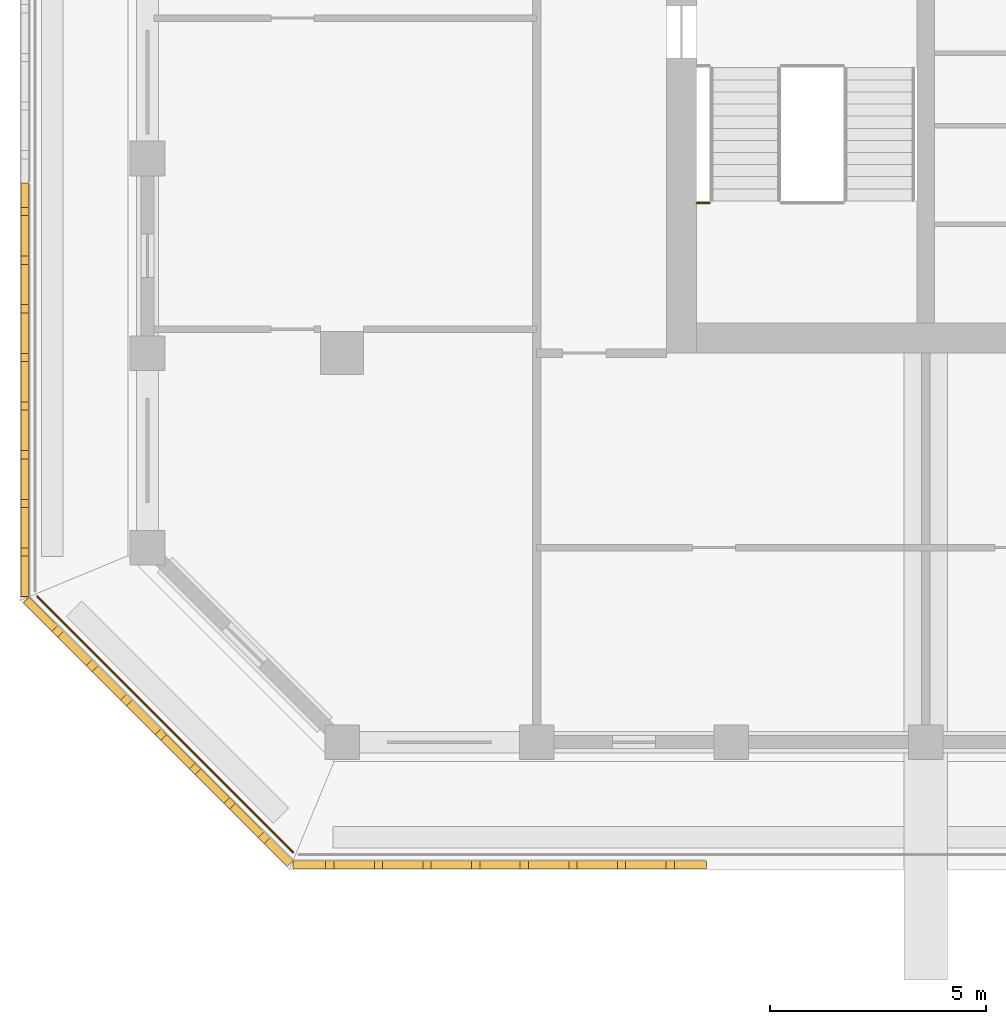
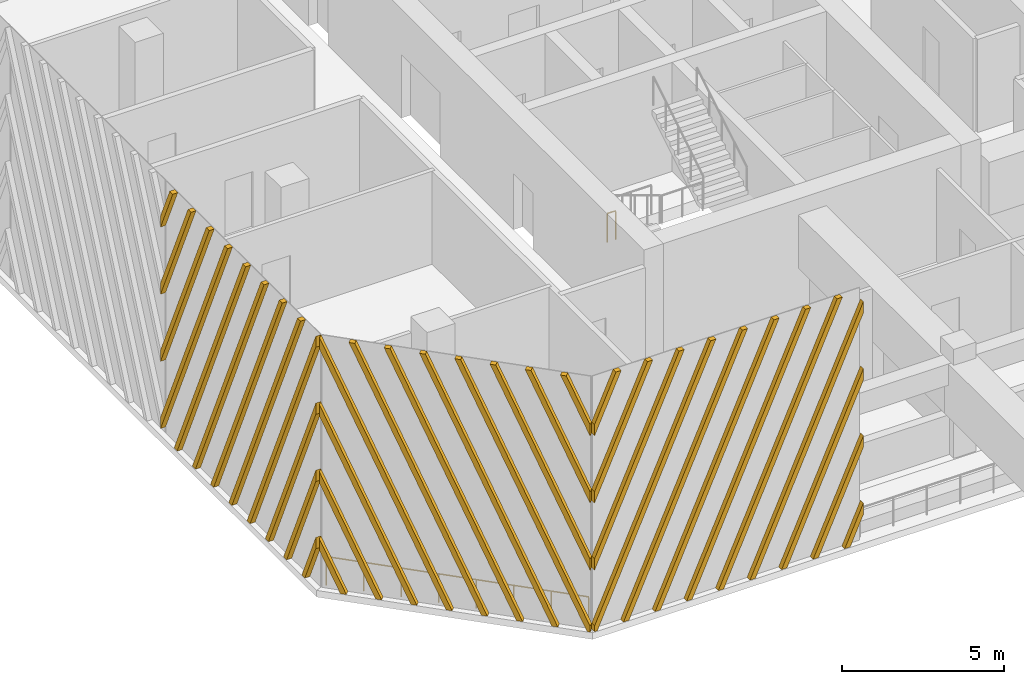
# One storey, part 9 of 16: 3 shading devices, 2 railings.
"""IFC4 building model written with IfcOpenShell, lengths in metres."""

from ifc_helpers import new_model, si_unit, direction, frame, origin, origin_2d, place, context, subcontext, project, spatial, polyline, circle, outline, extrude, source, transform, mapped, material, type_object, element, save


model = new_model("IFC4")

# Units and contexts
model_context = context("Model", 3, precision=1e-05, world=origin(), true_north=direction((0.0, 1.0)))
body_context = subcontext(model_context, "Body", "Model", "MODEL_VIEW")
ifc_project = project(units=[si_unit("LENGTHUNIT", "METRE"), si_unit("AREAUNIT", "SQUARE_METRE"), si_unit("VOLUMEUNIT", "CUBIC_METRE"), si_unit("PLANEANGLEUNIT", "RADIAN"), si_unit("MASSUNIT", "GRAM", prefix="KILO")], contexts=[model_context])

# Site, building, storey
site_placement = place(None, origin())
site = spatial("IfcSite", under=ifc_project, at=site_placement, CompositionType="ELEMENT")
building_placement = place(site_placement, origin())
building = spatial("IfcBuilding", under=site, at=building_placement, Name="Corbel Stack Research Tower", CompositionType="ELEMENT")
storey_placement = place(building_placement, frame((0.0, 0.0, 290.89990234375)))
storey = spatial("IfcBuildingStorey", under=building, at=storey_placement, Name="L66", CompositionType="ELEMENT", Elevation=290.89990234375)

# Railings
ifc_material_1 = material(Name="Steel S355", Category="steel")
railing_type_1 = type_object("IfcRailingType", Name="Stair guard 1100", PredefinedType="GUARDRAIL", material=ifc_material_1)
railing_1_placement = place(storey_placement, frame((-9.800048828125, -5.530029296875, 2.050048828125)))
element("IfcRailing", 1, at=railing_1_placement, inside=storey, type_object=railing_type_1, Name="L66 ST-W1 stair guard 3", PredefinedType="GUARDRAIL", context=body_context, shape_type="SweptSolid", body=[
    extrude(circle(Radius=0.02392578125, at=origin_2d()), frame((0.0, 0.0, 1.076171875), z_axis=(1.0, 0.0, 0.0), x_axis=(0.0, 1.0, 0.0)), (0.0, 0.0, 1.0), 0.300048828125),
    extrude(circle(Radius=0.02099609375, at=origin_2d()), origin(), (0.0, 0.0, 1.0), 1.052001953125),
    extrude(circle(Radius=0.02099609375, at=origin_2d()), frame((0.300048828125, 0.0, 0.0)), (0.0, 0.0, 1.0), 1.052001953125),
])
ifc_material_2 = material(Name="Powder-coated steel guard", Category="steel")
railing_type_2 = type_object("IfcRailingType", Name="Steel and glass guard 1100", PredefinedType="GUARDRAIL", material=ifc_material_2)
railing_2_placement = place(storey_placement, frame((-25.04931640625, -14.627685546875, 0.0)))
element("IfcRailing", 2, at=railing_2_placement, inside=storey, type_object=railing_type_2, Name="Loggia guard L66 SW", PredefinedType="GUARDRAIL", context=body_context, shape_type="SweptSolid", body=[
    extrude(circle(Radius=0.02392578125, at=origin_2d()), frame((0.0, 0.0, 1.076171875), z_axis=(0.707106781187, -0.707106781187, 0.0), x_axis=(0.707106781187, 0.707106781187, 0.0)), (0.0, 0.0, 1.0), 8.37451171875),
    extrude(circle(Radius=0.02099609375, at=origin_2d()), origin(), (0.0, 0.0, 1.0), 1.052001953125),
    extrude(circle(Radius=0.02099609375, at=origin_2d()), frame((0.845947265625, -0.845947265625, 0.0)), (0.0, 0.0, 1.0), 1.052001953125),
    extrude(circle(Radius=0.02099609375, at=origin_2d()), frame((1.69189453125, -1.69189453125, 0.0)), (0.0, 0.0, 1.0), 1.052001953125),
    extrude(circle(Radius=0.02099609375, at=origin_2d()), frame((2.537841796875, -2.537841796875, 0.0)), (0.0, 0.0, 1.0), 1.052001953125),
    extrude(circle(Radius=0.02099609375, at=origin_2d()), frame((3.3837890625, -3.3837890625, 0.0)), (0.0, 0.0, 1.0), 1.052001953125),
    extrude(circle(Radius=0.02099609375, at=origin_2d()), frame((4.229736328125, -4.229736328125, 0.0)), (0.0, 0.0, 1.0), 1.052001953125),
    extrude(circle(Radius=0.02099609375, at=origin_2d()), frame((5.07568359375, -5.07568359375, 0.0)), (0.0, 0.0, 1.0), 1.052001953125),
    extrude(circle(Radius=0.02099609375, at=origin_2d()), frame((5.921630859375, -5.921630859375, 0.0)), (0.0, 0.0, 1.0), 1.052001953125),
])

# Shading devices
ifc_material_3 = material(Name="Precast terracotta", Category="masonry")
shading_device_type = type_object("IfcShadingDeviceType", Name="Terracotta screen panel", PredefinedType="USERDEFINED", material=ifc_material_3)
shared_shape_1 = source(origin(), body_context, "Body", "SweptSolid", [
    extrude(outline(polyline([(0.94970703125, 9.5), (0.759765625, 9.5), (0.0, 7.793701171875), (0.0, 7.366943359375), (0.94970703125, 9.5)])), frame((0.0, 0.0, 0.0), z_axis=(0.0, -1.0, 0.0), x_axis=(1.0, 0.0, 0.0)), (0.0, 0.0, 1.0), 0.179931640625),
    extrude(outline(polyline([(2.07470703125, 9.5), (1.884765625, 9.5), (0.0, 5.26708984375), (0.0, 4.840087890625), (2.07470703125, 9.5)])), frame((0.0, 0.0, 0.0), z_axis=(0.0, -1.0, 0.0), x_axis=(1.0, 0.0, 0.0)), (0.0, 0.0, 1.0), 0.179931640625),
    extrude(outline(polyline([(3.19970703125, 9.5), (3.009765625, 9.5), (0.0, 2.740234375), (0.0, 2.3134765625), (3.19970703125, 9.5)])), frame((0.0, 0.0, 0.0), z_axis=(0.0, -1.0, 0.0), x_axis=(1.0, 0.0, 0.0)), (0.0, 0.0, 1.0), 0.179931640625),
    extrude(outline(polyline([(0.094970703125, 0.0), (4.32470703125, 9.5), (4.134765625, 9.5), (0.0, 0.21337890625), (0.0, 0.0), (0.094970703125, 0.0)])), frame((0.0, 0.0, 0.0), z_axis=(0.0, -1.0, 0.0), x_axis=(1.0, 0.0, 0.0)), (0.0, 0.0, 1.0), 0.179931640625),
    extrude(outline(polyline([(1.219970703125, 0.0), (5.44970703125, 9.5), (5.259765625, 9.5), (1.030029296875, 0.0), (1.219970703125, 0.0)])), frame((0.0, 0.0, 0.0), z_axis=(0.0, -1.0, 0.0), x_axis=(1.0, 0.0, 0.0)), (0.0, 0.0, 1.0), 0.179931640625),
    extrude(outline(polyline([(2.344970703125, 0.0), (6.57470703125, 9.5), (6.384765625, 9.5), (2.155029296875, 0.0), (2.344970703125, 0.0)])), frame((0.0, 0.0, 0.0), z_axis=(0.0, -1.0, 0.0), x_axis=(1.0, 0.0, 0.0)), (0.0, 0.0, 1.0), 0.179931640625),
    extrude(outline(polyline([(3.469970703125, 0.0), (7.69970703125, 9.5), (7.509765625, 9.5), (3.280029296875, 0.0), (3.469970703125, 0.0)])), frame((0.0, 0.0, 0.0), z_axis=(0.0, -1.0, 0.0), x_axis=(1.0, 0.0, 0.0)), (0.0, 0.0, 1.0), 0.179931640625),
    extrude(outline(polyline([(4.594970703125, 0.0), (8.82470703125, 9.5), (8.634765625, 9.5), (4.405029296875, 0.0), (4.594970703125, 0.0)])), frame((0.0, 0.0, 0.0), z_axis=(0.0, -1.0, 0.0), x_axis=(1.0, 0.0, 0.0)), (0.0, 0.0, 1.0), 0.179931640625),
    extrude(outline(polyline([(5.719970703125, 0.0), (9.569580078125, 8.646240234375), (9.569580078125, 9.072998046875), (5.530029296875, 0.0), (5.719970703125, 0.0)])), frame((0.0, 0.0, 0.0), z_axis=(0.0, -1.0, 0.0), x_axis=(1.0, 0.0, 0.0)), (0.0, 0.0, 1.0), 0.179931640625),
    extrude(outline(polyline([(6.844970703125, 0.0), (9.569580078125, 6.119384765625), (9.569580078125, 6.546142578125), (6.655029296875, 0.0), (6.844970703125, 0.0)])), frame((0.0, 0.0, 0.0), z_axis=(0.0, -1.0, 0.0), x_axis=(1.0, 0.0, 0.0)), (0.0, 0.0, 1.0), 0.179931640625),
    extrude(outline(polyline([(7.969970703125, 0.0), (9.569580078125, 3.592529296875), (9.569580078125, 4.019287109375), (7.780029296875, 0.0), (7.969970703125, 0.0)])), frame((0.0, 0.0, 0.0), z_axis=(0.0, -1.0, 0.0), x_axis=(1.0, 0.0, 0.0)), (0.0, 0.0, 1.0), 0.179931640625),
    extrude(outline(polyline([(9.094970703125, 0.0), (9.569580078125, 1.06591796875), (9.569580078125, 1.49267578125), (8.905029296875, 0.0), (9.094970703125, 0.0)])), frame((0.0, 0.0, 0.0), z_axis=(0.0, -1.0, 0.0), x_axis=(1.0, 0.0, 0.0)), (0.0, 0.0, 1.0), 0.179931640625),
])
shading_device_1_placement = place(storey_placement, frame((-19.13916015625, -20.75, 0.0), z_axis=(0.0, 0.0, 1.0), x_axis=(1.0, 0.0, 0.0)))
element("IfcShadingDevice", 3, at=shading_device_1_placement, inside=storey, type_object=shading_device_type, Name="Terracotta screen L66 S1", ObjectType="SCREEN", PredefinedType="USERDEFINED", context=body_context, shape_type="MappedRepresentation", body=[
    mapped(shared_shape_1, transform((0.0, 0.0, 0.0))),
])
shared_shape_2 = source(origin(), body_context, "Body", "SweptSolid", [
    extrude(outline(polyline([(0.752197265625, 9.5), (0.56201171875, 9.5), (0.0, 8.237548828125), (0.0, 7.810791015625), (0.752197265625, 9.5)])), frame((0.0, 0.0, 0.0), z_axis=(0.0, -1.0, 0.0), x_axis=(1.0, 0.0, 0.0)), (0.0, 0.0, 1.0), 0.179931640625),
    extrude(outline(polyline([(1.877197265625, 9.5), (1.68701171875, 9.5), (0.0, 5.710693359375), (0.0, 5.283935546875), (1.877197265625, 9.5)])), frame((0.0, 0.0, 0.0), z_axis=(0.0, -1.0, 0.0), x_axis=(1.0, 0.0, 0.0)), (0.0, 0.0, 1.0), 0.179931640625),
    extrude(outline(polyline([(3.002197265625, 9.5), (2.81201171875, 9.5), (0.0, 3.18408203125), (0.0, 2.757080078125), (3.002197265625, 9.5)])), frame((0.0, 0.0, 0.0), z_axis=(0.0, -1.0, 0.0), x_axis=(1.0, 0.0, 0.0)), (0.0, 0.0, 1.0), 0.179931640625),
    extrude(outline(polyline([(4.127197265625, 9.5), (3.93701171875, 9.5), (0.0, 0.6572265625), (0.0, 0.23046875), (4.127197265625, 9.5)])), frame((0.0, 0.0, 0.0), z_axis=(0.0, -1.0, 0.0), x_axis=(1.0, 0.0, 0.0)), (0.0, 0.0, 1.0), 0.179931640625),
    extrude(outline(polyline([(1.0224609375, 0.0), (5.252197265625, 9.5), (5.06201171875, 9.5), (0.83251953125, 0.0), (1.0224609375, 0.0)])), frame((0.0, 0.0, 0.0), z_axis=(0.0, -1.0, 0.0), x_axis=(1.0, 0.0, 0.0)), (0.0, 0.0, 1.0), 0.179931640625),
    extrude(outline(polyline([(2.1474609375, 0.0), (6.377197265625, 9.5), (6.18701171875, 9.5), (1.95751953125, 0.0), (2.1474609375, 0.0)])), frame((0.0, 0.0, 0.0), z_axis=(0.0, -1.0, 0.0), x_axis=(1.0, 0.0, 0.0)), (0.0, 0.0, 1.0), 0.179931640625),
    extrude(outline(polyline([(3.2724609375, 0.0), (7.502197265625, 9.5), (7.31201171875, 9.5), (3.08251953125, 0.0), (3.2724609375, 0.0)])), frame((0.0, 0.0, 0.0), z_axis=(0.0, -1.0, 0.0), x_axis=(1.0, 0.0, 0.0)), (0.0, 0.0, 1.0), 0.179931640625),
    extrude(outline(polyline([(4.3974609375, 0.0), (8.627197265625, 9.5), (8.43701171875, 9.5), (4.20751953125, 0.0), (4.3974609375, 0.0)])), frame((0.0, 0.0, 0.0), z_axis=(0.0, -1.0, 0.0), x_axis=(1.0, 0.0, 0.0)), (0.0, 0.0, 1.0), 0.179931640625),
    extrude(outline(polyline([(5.5224609375, 0.0), (9.569580078125, 9.090087890625), (9.569580078125, 9.5), (9.56201171875, 9.5), (5.33251953125, 0.0), (5.5224609375, 0.0)])), frame((0.0, 0.0, 0.0), z_axis=(0.0, -1.0, 0.0), x_axis=(1.0, 0.0, 0.0)), (0.0, 0.0, 1.0), 0.179931640625),
    extrude(outline(polyline([(6.6474609375, 0.0), (9.569580078125, 6.563232421875), (9.569580078125, 6.989990234375), (6.45751953125, 0.0), (6.6474609375, 0.0)])), frame((0.0, 0.0, 0.0), z_axis=(0.0, -1.0, 0.0), x_axis=(1.0, 0.0, 0.0)), (0.0, 0.0, 1.0), 0.179931640625),
    extrude(outline(polyline([(7.7724609375, 0.0), (9.569580078125, 4.036376953125), (9.569580078125, 4.463134765625), (7.58251953125, 0.0), (7.7724609375, 0.0)])), frame((0.0, 0.0, 0.0), z_axis=(0.0, -1.0, 0.0), x_axis=(1.0, 0.0, 0.0)), (0.0, 0.0, 1.0), 0.179931640625),
    extrude(outline(polyline([(8.8974609375, 0.0), (9.569580078125, 1.509521484375), (9.569580078125, 1.936279296875), (8.70751953125, 0.0), (8.8974609375, 0.0)])), frame((0.0, 0.0, 0.0), z_axis=(0.0, -1.0, 0.0), x_axis=(1.0, 0.0, 0.0)), (0.0, 0.0, 1.0), 0.179931640625),
])
shading_device_2_placement = place(storey_placement, frame((-25.25, -5.069580078125, 0.0), z_axis=(0.0, 0.0, 1.0), x_axis=(0.0, -1.0, 0.0)))
element("IfcShadingDevice", 4, at=shading_device_2_placement, inside=storey, type_object=shading_device_type, Name="Terracotta screen L66 W4", ObjectType="SCREEN", PredefinedType="USERDEFINED", context=body_context, shape_type="MappedRepresentation", body=[
    mapped(shared_shape_2, transform((0.0, 0.0, 0.0))),
])
shared_shape_3 = source(origin(), body_context, "Body", "SweptSolid", [
    extrude(outline(polyline([(0.862060546875, 0.0), (0.0, 1.936279296875), (0.0, 1.509521484375), (0.672119140625, 0.0), (0.862060546875, 0.0)])), frame((0.0, 0.0, 0.0), z_axis=(0.0, -1.0, 0.0), x_axis=(1.0, 0.0, 0.0)), (0.0, 0.0, 1.0), 0.179931640625),
    extrude(outline(polyline([(1.987060546875, 0.0), (0.0, 4.463134765625), (0.0, 4.036376953125), (1.797119140625, 0.0), (1.987060546875, 0.0)])), frame((0.0, 0.0, 0.0), z_axis=(0.0, -1.0, 0.0), x_axis=(1.0, 0.0, 0.0)), (0.0, 0.0, 1.0), 0.179931640625),
    extrude(outline(polyline([(3.112060546875, 0.0), (0.0, 6.989990234375), (0.0, 6.563232421875), (2.922119140625, 0.0), (3.112060546875, 0.0)])), frame((0.0, 0.0, 0.0), z_axis=(0.0, -1.0, 0.0), x_axis=(1.0, 0.0, 0.0)), (0.0, 0.0, 1.0), 0.179931640625),
    extrude(outline(polyline([(4.237060546875, 0.0), (0.007568359375, 9.5), (0.0, 9.5), (0.0, 9.090087890625), (4.047119140625, 0.0), (4.237060546875, 0.0)])), frame((0.0, 0.0, 0.0), z_axis=(0.0, -1.0, 0.0), x_axis=(1.0, 0.0, 0.0)), (0.0, 0.0, 1.0), 0.179931640625),
    extrude(outline(polyline([(5.362060546875, 0.0), (1.132568359375, 9.5), (0.9423828125, 9.5), (5.172119140625, 0.0), (5.362060546875, 0.0)])), frame((0.0, 0.0, 0.0), z_axis=(0.0, -1.0, 0.0), x_axis=(1.0, 0.0, 0.0)), (0.0, 0.0, 1.0), 0.179931640625),
    extrude(outline(polyline([(6.487060546875, 0.0), (2.257568359375, 9.5), (2.0673828125, 9.5), (6.297119140625, 0.0), (6.487060546875, 0.0)])), frame((0.0, 0.0, 0.0), z_axis=(0.0, -1.0, 0.0), x_axis=(1.0, 0.0, 0.0)), (0.0, 0.0, 1.0), 0.179931640625),
    extrude(outline(polyline([(7.612060546875, 0.0), (3.382568359375, 9.5), (3.1923828125, 9.5), (7.422119140625, 0.0), (7.612060546875, 0.0)])), frame((0.0, 0.0, 0.0), z_axis=(0.0, -1.0, 0.0), x_axis=(1.0, 0.0, 0.0)), (0.0, 0.0, 1.0), 0.179931640625),
    extrude(outline(polyline([(8.64208984375, 0.0), (8.64208984375, 0.21337890625), (4.507568359375, 9.5), (4.3173828125, 9.5), (8.547119140625, 0.0), (8.64208984375, 0.0)])), frame((0.0, 0.0, 0.0), z_axis=(0.0, -1.0, 0.0), x_axis=(1.0, 0.0, 0.0)), (0.0, 0.0, 1.0), 0.179931640625),
    extrude(outline(polyline([(5.632568359375, 9.5), (5.4423828125, 9.5), (8.64208984375, 2.3134765625), (8.64208984375, 2.740234375), (5.632568359375, 9.5)])), frame((0.0, 0.0, 0.0), z_axis=(0.0, -1.0, 0.0), x_axis=(1.0, 0.0, 0.0)), (0.0, 0.0, 1.0), 0.179931640625),
    extrude(outline(polyline([(6.757568359375, 9.5), (6.5673828125, 9.5), (8.64208984375, 4.840087890625), (8.64208984375, 5.26708984375), (6.757568359375, 9.5)])), frame((0.0, 0.0, 0.0), z_axis=(0.0, -1.0, 0.0), x_axis=(1.0, 0.0, 0.0)), (0.0, 0.0, 1.0), 0.179931640625),
    extrude(outline(polyline([(7.882568359375, 9.5), (7.6923828125, 9.5), (8.64208984375, 7.366943359375), (8.64208984375, 7.793701171875), (7.882568359375, 9.5)])), frame((0.0, 0.0, 0.0), z_axis=(0.0, -1.0, 0.0), x_axis=(1.0, 0.0, 0.0)), (0.0, 0.0, 1.0), 0.179931640625),
])
shading_device_3_placement = place(storey_placement, frame((-25.25, -14.63916015625, 0.0), z_axis=(0.0, 0.0, 1.0), x_axis=(0.707106781187, -0.707106781187, 0.0)))
element("IfcShadingDevice", 5, at=shading_device_3_placement, inside=storey, type_object=shading_device_type, Name="Terracotta screen L66 SW1", ObjectType="SCREEN", PredefinedType="USERDEFINED", context=body_context, shape_type="MappedRepresentation", body=[
    mapped(shared_shape_3, transform((0.0, 0.0, 0.0))),
])

save(model, "model.ifc")
